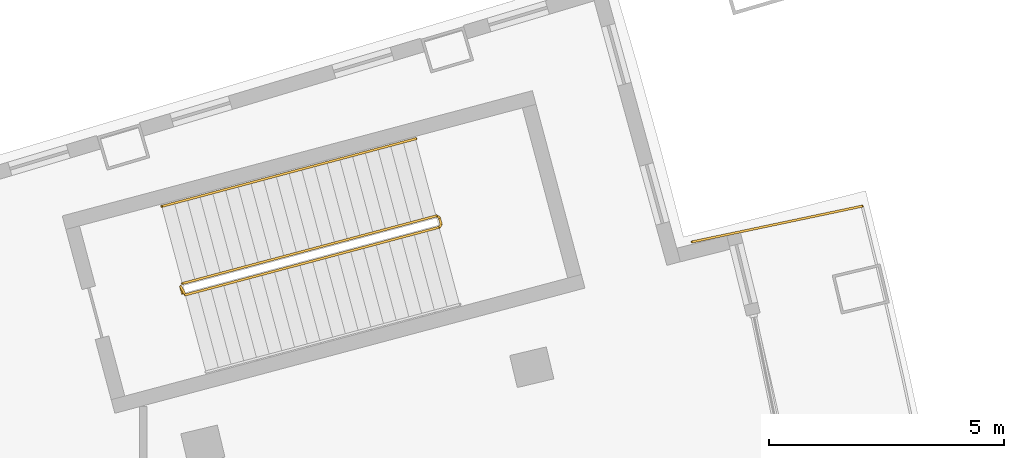
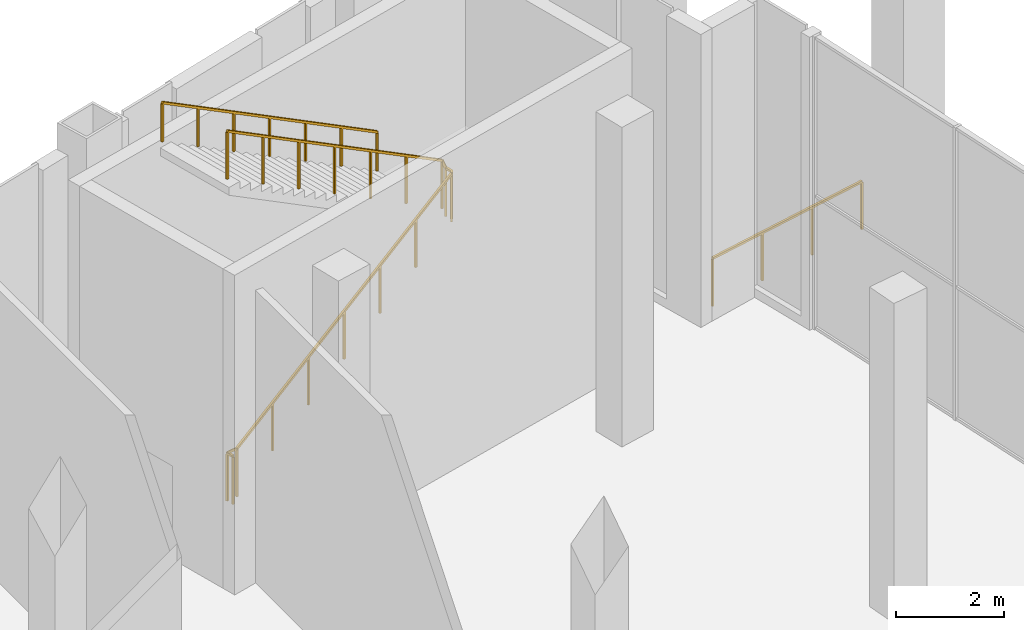
# One storey, part 23 of 24: 3 railings.
"""IFC4 building model written with IfcOpenShell, lengths in metres."""

import ifcopenshell
import ifcopenshell.guid

model = None  # the IFC model being written
_history = None  # IfcOwnerHistory: only IFC2X3 demands one
_inside = {}  # id of a spatial element -> (the spatial element, [elements in it])
_under = {}  # id of a project, library or spatial element -> (it, [spatial elements below it])
_declared = {}  # id of a project -> (the project, [libraries it declares])
_typed = {}  # id of a type object -> (the type object, [elements of that type])
_made_of = {}  # id of a material, layer set ... -> (it, [elements and type objects made of it])


def new_model(schema):
    """Start an empty IFC model of exactly this schema.

    Asked for "IFC4X3", IfcOpenShell would pick the latest addendum, in which some entities
    have other attributes; the version numbers below select the first issue.
    IFC2X3 requires an IfcOwnerHistory on every rooted entity: one is made here for all.
    """
    global model, _history
    if schema == "IFC4X3":
        model = ifcopenshell.file(schema_version=(4, 3, 0, 0))
    else:
        model = ifcopenshell.file(schema=schema)
    _inside.clear()
    _under.clear()
    _declared.clear()
    _typed.clear()
    _made_of.clear()
    _history = None
    if model.schema == "IFC2X3":
        org = make("IfcOrganization", Name="unknown")
        user = make(
            "IfcPersonAndOrganization",
            ThePerson=make("IfcPerson", FamilyName="unknown"),
            TheOrganization=org,
        )
        app = make(
            "IfcApplication",
            ApplicationDeveloper=org,
            Version="unknown",
            ApplicationFullName="unknown",
            ApplicationIdentifier="unknown",
        )
        _history = make(
            "IfcOwnerHistory",
            OwningUser=user,
            OwningApplication=app,
            ChangeAction="ADDED",
            CreationDate=0,
        )
    return model


def make(cls, **values):
    """One entity of the class cls with the attributes given. An attribute that is None is left unset."""
    return model.create_entity(
        cls, **{name: value for name, value in values.items() if value is not None}
    )


def rooted(cls, **values):
    """An entity with a GlobalId (a new one), such as an element, a storey or a relation."""
    return make(cls, GlobalId=ifcopenshell.guid.new(), OwnerHistory=_history, **values)


def si_unit(unit_type, name, prefix=None):
    """IfcSIUnit, for example si_unit("LENGTHUNIT", "METRE", prefix="MILLI")."""
    return make("IfcSIUnit", UnitType=unit_type, Prefix=prefix, Name=name)


def assignment(units):
    """IfcUnitAssignment: the units of a project."""
    return None if units is None else make("IfcUnitAssignment", Units=units)


def point(xyz):
    """IfcCartesianPoint."""
    return None if xyz is None else make("IfcCartesianPoint", Coordinates=xyz)


def direction(xyz):
    """IfcDirection."""
    return None if xyz is None else make("IfcDirection", DirectionRatios=xyz)


def frame(location, z_axis=None, x_axis=None):
    """IfcAxis2Placement3D, a coordinate frame: its origin and axes. An axis left out is left unset."""
    return make(
        "IfcAxis2Placement3D",
        Location=point(location),
        Axis=direction(z_axis),
        RefDirection=direction(x_axis),
    )


def frame_2d(location, x_axis=None):
    """IfcAxis2Placement2D, a coordinate frame in the plane: its origin and x axis."""
    return make(
        "IfcAxis2Placement2D", Location=point(location), RefDirection=direction(x_axis)
    )


def origin():
    """The frame at (0, 0, 0) with its axes left unset."""
    return frame((0.0, 0.0, 0.0))


def origin_2d():
    """The frame at (0, 0) in the plane with its x axis left unset."""
    return frame_2d((0.0, 0.0))


def place(relative_to, where):
    """IfcLocalPlacement: puts the frame where relative to a parent placement (None: the world)."""
    return make(
        "IfcLocalPlacement", PlacementRelTo=relative_to, RelativePlacement=where
    )


def context(
    kind, dimensions, precision=None, world=None, true_north=None, identifier=None
):
    """IfcGeometricRepresentationContext, for example the 3D "Model" context."""
    return make(
        "IfcGeometricRepresentationContext",
        ContextIdentifier=identifier,
        ContextType=kind,
        CoordinateSpaceDimension=dimensions,
        Precision=precision,
        WorldCoordinateSystem=world,
        TrueNorth=true_north,
    )


def subcontext(parent, identifier, kind, view, scale=None):
    """IfcGeometricRepresentationSubContext, for example "Body" below "Model"."""
    return make(
        "IfcGeometricRepresentationSubContext",
        ContextIdentifier=identifier,
        ContextType=kind,
        ParentContext=parent,
        TargetScale=scale,
        TargetView=view,
    )


def project(units=None, contexts=None):
    """IfcProject with its units and contexts."""
    return rooted(
        "IfcProject",
        Name="project",
        RepresentationContexts=contexts,
        UnitsInContext=assignment(units),
    )


def spatial(cls, under=None, at=None, **own):
    """A site, building, storey or space (cls), placed at a placement, below another one or the project."""
    s = rooted(cls, ObjectPlacement=at, **own)
    if under is not None:
        _under.setdefault(under.id(), (under, []))[1].append(s)
    return s


def profile(cls, at=None, kind="AREA", **sizes):
    """A parametric profile (cls). Its sizes go by their IFC names, for example OverallWidth=200.0."""
    return make(cls, ProfileType=kind, Position=at, **sizes)


def rectangle(**sizes):
    """IfcRectangleProfileDef."""
    return profile("IfcRectangleProfileDef", **sizes)


def extrude(swept, where, along, depth):
    """IfcExtrudedAreaSolid: the profile swept, set in the frame where, extruded along a direction by depth."""
    return make(
        "IfcExtrudedAreaSolid",
        SweptArea=swept,
        Position=where,
        ExtrudedDirection=direction(along),
        Depth=depth,
    )


def shape(context_of_items, identifier, shape_type, items):
    """IfcShapeRepresentation: the items that make up one representation, for example the "Body"."""
    return make(
        "IfcShapeRepresentation",
        ContextOfItems=context_of_items,
        RepresentationIdentifier=identifier,
        RepresentationType=shape_type,
        Items=items,
    )


def material(Name=None, Category=None):
    """IfcMaterial."""
    return make("IfcMaterial", Name=Name, Category=Category)


def made_of(thing, what):
    """Note that an element or type object is made of a material, layer set ...; save() writes the relation."""
    if what is not None:
        _made_of.setdefault(what.id(), (what, []))[1].append(thing)
    return thing


def type_object(cls, material=None, **own):
    """A type object (cls), such as IfcWallType, which elements share."""
    return made_of(rooted(cls, **own), material)


def element(
    cls,
    number,
    at=None,
    inside=None,
    cuts=None,
    type_object=None,
    material=None,
    context=None,
    identifier="Body",
    shape_type=None,
    held_by="IfcProductDefinitionShape",
    body=None,
    shapes=None,
    **own,
):
    """One element of the class cls, such as IfcWall. Its Tag is "e" and its number.

    at: its placement. inside: the storey or other place that contains it. cuts: it is an
    opening in that element (IfcRelVoidsElement). A single representation is given by context,
    identifier, shape_type and body (its items); several are given by shapes. held_by: the class
    of the entity that holds the representations. save() writes the other relations.
    """
    e = rooted(cls, Tag="e%d" % number, ObjectPlacement=at, **own)
    if body is not None:
        shapes = [shape(context, identifier, shape_type, body)]
    if shapes is not None:
        e.Representation = make(held_by, Representations=shapes)
    if inside is not None:
        _inside.setdefault(inside.id(), (inside, []))[1].append(e)
    if cuts is not None:
        rooted(
            "IfcRelVoidsElement", RelatingBuildingElement=cuts, RelatedOpeningElement=e
        )
    if type_object is not None:
        _typed.setdefault(type_object.id(), (type_object, []))[1].append(e)
    return made_of(e, material)


def aggregate(whole, parts):
    """IfcRelAggregates: a whole, such as a stair, and the parts it consists of."""
    return rooted("IfcRelAggregates", RelatingObject=whole, RelatedObjects=parts)


def save(model, path):
    """Write the relations noted so far, then the file.

    IfcRelAggregates (storeys below a building ...), IfcRelContainedInSpatialStructure (elements
    in a storey), IfcRelDefinesByType, IfcRelAssociatesMaterial and IfcRelDeclares: one each for
    every whole, place, type object, material and project.
    """
    for whole, parts in _under.values():
        aggregate(whole, parts)
    for where, things in _inside.values():
        rooted(
            "IfcRelContainedInSpatialStructure",
            RelatedElements=things,
            RelatingStructure=where,
        )
    for kind, things in _typed.values():
        rooted("IfcRelDefinesByType", RelatedObjects=things, RelatingType=kind)
    for what, things in _made_of.values():
        rooted("IfcRelAssociatesMaterial", RelatedObjects=things, RelatingMaterial=what)
    for by, libraries in _declared.values():
        rooted("IfcRelDeclares", RelatingContext=by, RelatedDefinitions=libraries)
    model.write(path)


model = new_model("IFC4")

# Units and contexts
model_context = context("Model", 3, precision=1e-05, world=origin(), true_north=direction((0.0, 1.0)))
body_context = subcontext(model_context, "Body", "Model", "MODEL_VIEW")
ifc_project = project(units=[si_unit("LENGTHUNIT", "METRE"), si_unit("AREAUNIT", "SQUARE_METRE"), si_unit("VOLUMEUNIT", "CUBIC_METRE"), si_unit("PLANEANGLEUNIT", "RADIAN"), si_unit("MASSUNIT", "GRAM", prefix="KILO")], contexts=[model_context])

# Site, building, storey
site_placement = place(None, origin())
site = spatial("IfcSite", under=ifc_project, at=site_placement, CompositionType="ELEMENT")
building_placement = place(site_placement, origin())
building = spatial("IfcBuilding", under=site, at=building_placement, Name="Alderwake Tower", CompositionType="ELEMENT")
storey_placement = place(building_placement, frame((0.0, 0.0, 232.39990234375)))
storey = spatial("IfcBuildingStorey", under=building, at=storey_placement, Name="L58", CompositionType="ELEMENT", Elevation=232.39990234375)

# Railings
ifc_material_1 = material(Name="Stainless steel 316 rail and posts", Category="steel")
railing_type_1 = type_object("IfcRailingType", Name="Balcony guard 1100", PredefinedType="GUARDRAIL", material=ifc_material_1)
railing_1_placement = place(storey_placement, frame((53.70849609375, 94.535400390625, 0.0)))
element("IfcRailing", 1, at=railing_1_placement, inside=storey, type_object=railing_type_1, Name="Guard garden terrace front end", PredefinedType="GUARDRAIL", context=body_context, shape_type="SweptSolid", body=[
    extrude(rectangle(XDim=0.048095703125, YDim=0.048095703125, at=origin_2d()), frame((0.0, 0.0, 1.076171875), z_axis=(-0.978568669942, -0.205920757107, 0.0), x_axis=(0.205920757107, -0.978568669942, 0.0)), (0.0, 0.0, 1.0), 3.70263671875),
    extrude(rectangle(XDim=0.0419921875, YDim=0.0419921875, at=origin_2d()), frame((0.0, 0.0, 0.0), z_axis=(0.0, 0.0, 1.0), x_axis=(-0.978568669942, -0.205920757107, 0.0)), (0.0, 0.0, 1.0), 1.052001953125),
    extrude(rectangle(XDim=0.0419921875, YDim=0.0419921875, at=origin_2d()), frame((-1.207763671875, -0.254150390625, 0.0), z_axis=(0.0, 0.0, 1.0), x_axis=(-0.978568669942, -0.205920757107, 0.0)), (0.0, 0.0, 1.0), 1.052001953125),
    extrude(rectangle(XDim=0.0419921875, YDim=0.0419921875, at=origin_2d()), frame((-2.41552734375, -0.50830078125, 0.0), z_axis=(0.0, 0.0, 1.0), x_axis=(-0.978568669942, -0.205920757107, 0.0)), (0.0, 0.0, 1.0), 1.052001953125),
    extrude(rectangle(XDim=0.0419921875, YDim=0.0419921875, at=origin_2d()), frame((-3.623291015625, -0.762451171875, 0.0), z_axis=(0.0, 0.0, 1.0), x_axis=(-0.978568669942, -0.205920757107, 0.0)), (0.0, 0.0, 1.0), 1.052001953125),
])
ifc_material_2 = material(Name="Stainless steel guard", Category="steel")
railing_type_2 = type_object("IfcRailingType", Name="Stair guard 1100", PredefinedType="GUARDRAIL", material=ifc_material_2)
railing_2_placement = place(storey_placement, frame((39.23291015625, 92.6806640625, 0.0)))
element("IfcRailing", 2, at=railing_2_placement, inside=storey, type_object=railing_type_2, Name="L58 ST-A stair guard 1", PredefinedType="GUARDRAIL", context=body_context, shape_type="SweptSolid", body=[
    extrude(rectangle(XDim=0.048095703125, YDim=0.048095703125, at=origin_2d()), frame((0.0, 0.0, 1.076171875), z_axis=(-0.257055032184, 0.966396766566, 0.0), x_axis=(-0.966396766566, -0.257055032184, 0.0)), (0.0, 0.0, 1.0), 0.150146484375),
    extrude(rectangle(XDim=0.048095703125, YDim=0.048095703125, at=origin_2d()), frame((-0.03857421875, 0.14501953125, 1.076171875), z_axis=(0.372185781466, -0.672482377758, 0.639722749072), x_axis=(0.874937996095, 0.484234966715, 0.0)), (0.0, 0.0, 1.0), 0.268310546875),
    extrude(rectangle(XDim=0.048095703125, YDim=0.048095703125, at=origin_2d()), frame((0.061279296875, -0.035400390625, 1.24755859375), z_axis=(0.824125601407, 0.219518951081, 0.522138318094), x_axis=(-0.257391295463, 0.966307260151, 0.0)), (0.0, 0.0, 1.0), 6.566162109375),
    extrude(rectangle(XDim=0.048095703125, YDim=0.048095703125, at=origin_2d()), frame((5.47265625, 1.406005859375, 4.67626953125), z_axis=(0.500220121494, 0.865898279276, 0.0), x_axis=(-0.865898279276, 0.500220121494, 0.0)), (0.0, 0.0, 1.0), 0.07080078125),
    extrude(rectangle(XDim=0.048095703125, YDim=0.048095703125, at=origin_2d()), frame((5.508056640625, 1.46728515625, 4.67626953125), z_axis=(-0.257459803502, 0.966289009345, 0.0), x_axis=(-0.966289009345, -0.257459803502, 0.0)), (0.0, 0.0, 1.0), 0.14990234375),
    extrude(rectangle(XDim=0.048095703125, YDim=0.048095703125, at=origin_2d()), frame((5.469482421875, 1.612060546875, 4.67626953125), z_axis=(-0.330400185694, 0.192184968571, 0.924067451623), x_axis=(-0.502800015978, -0.864402767194, 0.0)), (0.0, 0.0, 1.0), 0.185546875),
    extrude(rectangle(XDim=0.048095703125, YDim=0.048095703125, at=origin_2d()), frame((5.408203125, 1.647705078125, 4.84765625), z_axis=(-0.824109601868, -0.219514689349, 0.522165361996), x_axis=(0.257391295463, -0.966307260151, 0.0)), (0.0, 0.0, 1.0), 6.56640625),
    extrude(rectangle(XDim=0.0419921875, YDim=0.0419921875, at=origin_2d()), frame((0.0, 0.0, 0.0), z_axis=(0.0, 0.0, 1.0), x_axis=(-0.257055032184, 0.966396766566, 0.0)), (0.0, 0.0, 1.0), 1.052001953125),
    extrude(rectangle(XDim=0.0419921875, YDim=0.0419921875, at=origin_2d()), frame((-0.03857421875, 0.14501953125, 0.0), z_axis=(0.0, 0.0, 1.0), x_axis=(0.484234966715, -0.874937996095, 0.0)), (0.0, 0.0, 1.0), 1.052001953125),
    extrude(rectangle(XDim=0.0419921875, YDim=0.0419921875, at=origin_2d()), frame((0.061279296875, -0.035400390625, 0.171630859375), z_axis=(0.0, 0.0, 1.0), x_axis=(0.966307260151, 0.257391295463, 0.0)), (0.0, 0.0, 1.0), 1.052001953125),
    extrude(rectangle(XDim=0.0419921875, YDim=0.0419921875, at=origin_2d()), frame((0.963134765625, 0.204833984375, 0.7431640625), z_axis=(0.0, 0.0, 1.0), x_axis=(0.966307260151, 0.257391295463, 0.0)), (0.0, 0.0, 1.0), 1.052001953125),
    extrude(rectangle(XDim=0.0419921875, YDim=0.0419921875, at=origin_2d()), frame((1.864990234375, 0.445068359375, 1.314453125), z_axis=(0.0, 0.0, 1.0), x_axis=(0.966307260151, 0.257391295463, 0.0)), (0.0, 0.0, 1.0), 1.052001953125),
    extrude(rectangle(XDim=0.0419921875, YDim=0.0419921875, at=origin_2d()), frame((2.76708984375, 0.685302734375, 1.8857421875), z_axis=(0.0, 0.0, 1.0), x_axis=(0.966307260151, 0.257391295463, 0.0)), (0.0, 0.0, 1.0), 1.052001953125),
    extrude(rectangle(XDim=0.0419921875, YDim=0.0419921875, at=origin_2d()), frame((3.6689453125, 0.925537109375, 2.457275390625), z_axis=(0.0, 0.0, 1.0), x_axis=(0.966307260151, 0.257391295463, 0.0)), (0.0, 0.0, 1.0), 1.052001953125),
    extrude(rectangle(XDim=0.0419921875, YDim=0.0419921875, at=origin_2d()), frame((4.57080078125, 1.165771484375, 3.02880859375), z_axis=(0.0, 0.0, 1.0), x_axis=(0.966307260151, 0.257391295463, 0.0)), (0.0, 0.0, 1.0), 1.052001953125),
    extrude(rectangle(XDim=0.0419921875, YDim=0.0419921875, at=origin_2d()), frame((5.47265625, 1.406005859375, 3.60009765625), z_axis=(0.0, 0.0, 1.0), x_axis=(0.500220121494, 0.865898279276, 0.0)), (0.0, 0.0, 1.0), 1.052001953125),
    extrude(rectangle(XDim=0.0419921875, YDim=0.0419921875, at=origin_2d()), frame((5.508056640625, 1.46728515625, 3.60009765625), z_axis=(0.0, 0.0, 1.0), x_axis=(-0.257459803502, 0.966289009345, 0.0)), (0.0, 0.0, 1.0), 1.052001953125),
    extrude(rectangle(XDim=0.0419921875, YDim=0.0419921875, at=origin_2d()), frame((5.469482421875, 1.612060546875, 3.60009765625), z_axis=(0.0, 0.0, 1.0), x_axis=(-0.864402767194, 0.502800015978, 0.0)), (0.0, 0.0, 1.0), 1.052001953125),
    extrude(rectangle(XDim=0.0419921875, YDim=0.0419921875, at=origin_2d()), frame((5.408203125, 1.647705078125, 3.771484375), z_axis=(0.0, 0.0, 1.0), x_axis=(-0.966307260151, -0.257391295463, 0.0)), (0.0, 0.0, 1.0), 1.052001953125),
    extrude(rectangle(XDim=0.0419921875, YDim=0.0419921875, at=origin_2d()), frame((4.50634765625, 1.407470703125, 4.343017578125), z_axis=(0.0, 0.0, 1.0), x_axis=(-0.966307260151, -0.257391295463, 0.0)), (0.0, 0.0, 1.0), 1.052001953125),
    extrude(rectangle(XDim=0.0419921875, YDim=0.0419921875, at=origin_2d()), frame((3.6044921875, 1.167236328125, 4.914306640625), z_axis=(0.0, 0.0, 1.0), x_axis=(-0.966307260151, -0.257391295463, 0.0)), (0.0, 0.0, 1.0), 1.052001953125),
    extrude(rectangle(XDim=0.0419921875, YDim=0.0419921875, at=origin_2d()), frame((2.70263671875, 0.927001953125, 5.48583984375), z_axis=(0.0, 0.0, 1.0), x_axis=(-0.966307260151, -0.257391295463, 0.0)), (0.0, 0.0, 1.0), 1.052001953125),
    extrude(rectangle(XDim=0.0419921875, YDim=0.0419921875, at=origin_2d()), frame((1.800537109375, 0.686767578125, 6.057373046875), z_axis=(0.0, 0.0, 1.0), x_axis=(-0.966307260151, -0.257391295463, 0.0)), (0.0, 0.0, 1.0), 1.052001953125),
    extrude(rectangle(XDim=0.0419921875, YDim=0.0419921875, at=origin_2d()), frame((0.898681640625, 0.446533203125, 6.628662109375), z_axis=(0.0, 0.0, 1.0), x_axis=(-0.966307260151, -0.257391295463, 0.0)), (0.0, 0.0, 1.0), 1.052001953125),
    extrude(rectangle(XDim=0.0419921875, YDim=0.0419921875, at=origin_2d()), frame((-0.003173828125, 0.206298828125, 7.2001953125), z_axis=(0.0, 0.0, 1.0), x_axis=(-0.966307260151, -0.257391295463, 0.0)), (0.0, 0.0, 1.0), 1.052001953125),
])
ifc_material_3 = material(Name="Stainless steel handrail", Category="steel")
railing_type_3 = type_object("IfcRailingType", Name="Stair handrail 900", PredefinedType="HANDRAIL", material=ifc_material_3)
railing_3_placement = place(storey_placement, frame((44.20361328125, 95.970947265625, 3.771484375)))
element("IfcRailing", 3, at=railing_3_placement, inside=storey, type_object=railing_type_3, Name="L58 ST-A stair handrail 2", PredefinedType="HANDRAIL", context=body_context, shape_type="SweptSolid", body=[
    extrude(rectangle(XDim=0.048095703125, YDim=0.048095703125, at=origin_2d()), frame((0.0, 0.0, 0.8759765625), z_axis=(-0.824109601868, -0.219514689349, 0.522165361996), x_axis=(0.257391295463, -0.966307260151, 0.0)), (0.0, 0.0, 1.0), 6.56640625),
    extrude(rectangle(XDim=0.0419921875, YDim=0.0419921875, at=origin_2d()), frame((0.0, 0.0, 0.0), z_axis=(0.0, 0.0, 1.0), x_axis=(-0.966307260151, -0.257391295463, 0.0)), (0.0, 0.0, 1.0), 0.851806640625),
    extrude(rectangle(XDim=0.0419921875, YDim=0.0419921875, at=origin_2d()), frame((-0.90185546875, -0.240234375, 0.571533203125), z_axis=(0.0, 0.0, 1.0), x_axis=(-0.966307260151, -0.257391295463, 0.0)), (0.0, 0.0, 1.0), 0.851806640625),
    extrude(rectangle(XDim=0.0419921875, YDim=0.0419921875, at=origin_2d()), frame((-1.8037109375, -0.48046875, 1.142822265625), z_axis=(0.0, 0.0, 1.0), x_axis=(-0.966307260151, -0.257391295463, 0.0)), (0.0, 0.0, 1.0), 0.851806640625),
    extrude(rectangle(XDim=0.0419921875, YDim=0.0419921875, at=origin_2d()), frame((-2.70556640625, -0.720703125, 1.71435546875), z_axis=(0.0, 0.0, 1.0), x_axis=(-0.966307260151, -0.257391295463, 0.0)), (0.0, 0.0, 1.0), 0.851806640625),
    extrude(rectangle(XDim=0.0419921875, YDim=0.0419921875, at=origin_2d()), frame((-3.607666015625, -0.9609375, 2.285888671875), z_axis=(0.0, 0.0, 1.0), x_axis=(-0.966307260151, -0.257391295463, 0.0)), (0.0, 0.0, 1.0), 0.851806640625),
    extrude(rectangle(XDim=0.0419921875, YDim=0.0419921875, at=origin_2d()), frame((-4.509521484375, -1.201171875, 2.857177734375), z_axis=(0.0, 0.0, 1.0), x_axis=(-0.966307260151, -0.257391295463, 0.0)), (0.0, 0.0, 1.0), 0.851806640625),
    extrude(rectangle(XDim=0.0419921875, YDim=0.0419921875, at=origin_2d()), frame((-5.411376953125, -1.44140625, 3.4287109375), z_axis=(0.0, 0.0, 1.0), x_axis=(-0.966307260151, -0.257391295463, 0.0)), (0.0, 0.0, 1.0), 0.851806640625),
])

save(model, "model.ifc")
